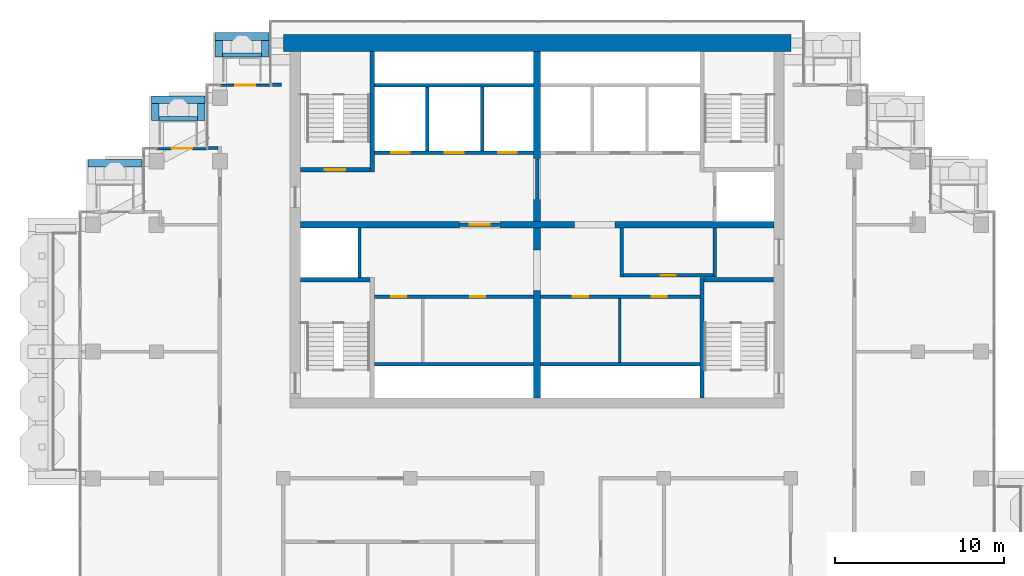
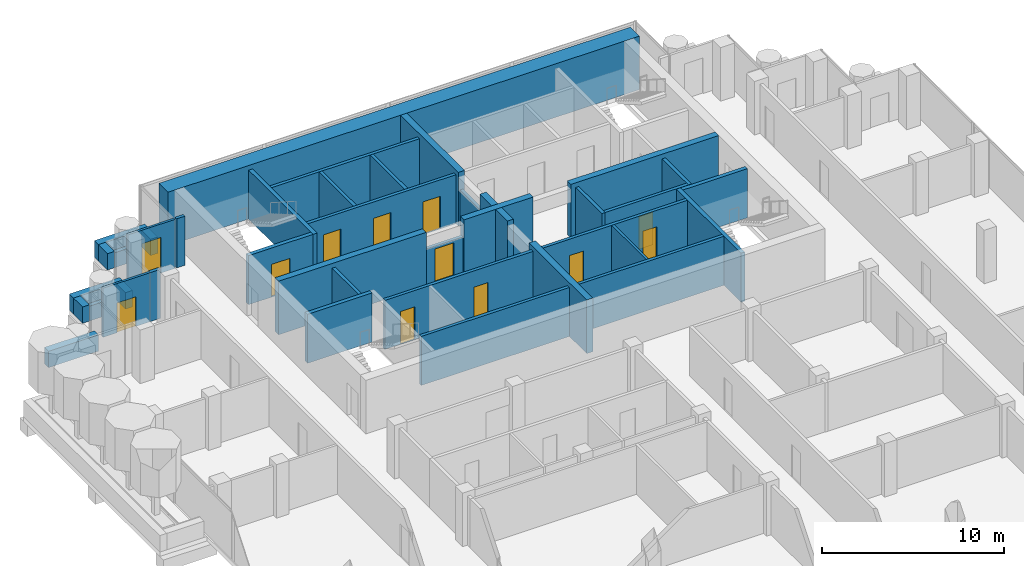
# One storey, part 13 of 18: 41 walls, 12 doors, 12 openings.
"""IFC4 building model written with IfcOpenShell, lengths in metres."""

from ifc_helpers import new_model, si_unit, direction, frame, frame_2d, origin, place, context, subcontext, project, spatial, rectangle, extrude, material, layer, layer_set, type_object, element, fill, save


model = new_model("IFC4")

# Units and contexts
model_context = context("Model", 3, precision=1e-05, world=origin(), true_north=direction((0.0, 1.0)))
body_context = subcontext(model_context, "Body", "Model", "MODEL_VIEW")
ifc_project = project(units=[si_unit("LENGTHUNIT", "METRE"), si_unit("AREAUNIT", "SQUARE_METRE"), si_unit("VOLUMEUNIT", "CUBIC_METRE"), si_unit("PLANEANGLEUNIT", "RADIAN"), si_unit("MASSUNIT", "GRAM", prefix="KILO")], contexts=[model_context])

# Site, building, storey
site_placement = place(None, origin())
site = spatial("IfcSite", under=ifc_project, at=site_placement, CompositionType="ELEMENT")
building_placement = place(site_placement, origin())
building = spatial("IfcBuilding", under=site, at=building_placement, Name="Pilkhan Gate Tower", CompositionType="ELEMENT")
storey_placement = place(building_placement, frame((0.0, 0.0, 235.5)))
storey = spatial("IfcBuildingStorey", under=building, at=storey_placement, Name="L61", CompositionType="ELEMENT", Elevation=235.5)

# Walls
ifc_material_1 = material(Name="Concrete C40/50", Category="concrete")
ifc_layer_1 = layer(ifc_material_1, 0.25)
ifc_layer_set_1 = layer_set([ifc_layer_1], Name="Balcony planter BP250")
wall_type_1 = type_object("IfcWallType", Name="Balcony planter BP250", PredefinedType="USERDEFINED", material=ifc_layer_set_1)
wall_1_placement = place(storey_placement, frame((56.39990234375, 92.52490234375, 0.0), z_axis=(0.0, 0.0, 1.0), x_axis=(1.0, 0.0, 0.0)))
element("IfcWall", 1, at=wall_1_placement, inside=storey, type_object=wall_type_1, Name="Balcony planter L61 N", ObjectType="BALCONY PLANTER", PredefinedType="USERDEFINED", context=body_context, shape_type="SweptSolid", body=[
    extrude(rectangle(XDim=2.300048828125, YDim=0.25, at=frame_2d((1.14990234375, 0.0))), origin(), (0.0, 0.0, 1.0), 1.0),
])
wall_2_placement = place(storey_placement, frame((52.64990234375, 88.77490234375, 0.0), z_axis=(0.0, 0.0, 1.0), x_axis=(1.0, 0.0, 0.0)))
element("IfcWall", 2, at=wall_2_placement, inside=storey, type_object=wall_type_1, Name="Balcony planter L61 N", ObjectType="BALCONY PLANTER", PredefinedType="USERDEFINED", context=body_context, shape_type="SweptSolid", body=[
    extrude(rectangle(XDim=2.280029296875, YDim=0.25, at=frame_2d((1.14013671875, 0.0))), origin(), (0.0, 0.0, 1.0), 1.0),
])
ifc_material_2 = material(Name="Board-marked Concrete C40/50", Category="concrete")
ifc_layer_2 = layer(ifc_material_2, 0.449951171875)
ifc_layer_set_2 = layer_set([ifc_layer_2], Name="Balcony planter lip BL450")
wall_type_2 = type_object("IfcWallType", Name="Balcony planter lip BL450", PredefinedType="USERDEFINED", material=ifc_layer_set_2)
wall_3_placement = place(storey_placement, frame((55.949951171875, 93.625, 0.0), z_axis=(0.0, 0.0, 1.0), x_axis=(1.0, 0.0, 0.0)))
element("IfcWall", 3, at=wall_3_placement, inside=storey, type_object=wall_type_2, Name="Balcony planter L61 N", ObjectType="BALCONY PLANTER", PredefinedType="USERDEFINED", context=body_context, shape_type="SweptSolid", body=[
    extrude(rectangle(XDim=3.199951171875, YDim=0.449951171875, at=frame_2d((1.60009765625, 0.0))), origin(), (0.0, 0.0, 1.0), 1.10009765625),
])
for number, where, z_axis, x_axis, name in (
    (4, (56.175048828125, 92.39990234375, 0.0), (0.0, 0.0, 1.0), (0.0, 1.0, 0.0), "Balcony planter L61 N"),
    (5, (58.925048828125, 92.39990234375, 0.0), (0.0, 0.0, 1.0), (0.0, 1.0, 0.0), "Balcony planter L61 N"),
):
    element("IfcWall", number, at=place(storey_placement, frame(where, z_axis=z_axis, x_axis=x_axis)), inside=storey, type_object=wall_type_2, Name=name, ObjectType="BALCONY PLANTER", PredefinedType="USERDEFINED", context=body_context, shape_type="SweptSolid", body=[
        extrude(rectangle(XDim=1.0, YDim=0.449951171875, at=frame_2d((0.5, 0.0))), origin(), (0.0, 0.0, 1.0), 1.10009765625),
    ])
wall_4_placement = place(storey_placement, frame((52.199951171875, 89.875, 0.0), z_axis=(0.0, 0.0, 1.0), x_axis=(1.0, 0.0, 0.0)))
element("IfcWall", 6, at=wall_4_placement, inside=storey, type_object=wall_type_2, Name="Balcony planter L61 N", ObjectType="BALCONY PLANTER", PredefinedType="USERDEFINED", context=body_context, shape_type="SweptSolid", body=[
    extrude(rectangle(XDim=3.179931640625, YDim=0.449951171875, at=frame_2d((1.58984375, 0.0))), origin(), (0.0, 0.0, 1.0), 1.10009765625),
])
for number, where, z_axis, x_axis, name in (
    (7, (52.425048828125, 88.64990234375, 0.0), (0.0, 0.0, 1.0), (0.0, 1.0, 0.0), "Balcony planter L61 N"),
    (8, (55.155029296875, 88.64990234375, 0.0), (0.0, 0.0, 1.0), (0.0, 1.0, 0.0), "Balcony planter L61 N"),
):
    element("IfcWall", number, at=place(storey_placement, frame(where, z_axis=z_axis, x_axis=x_axis)), inside=storey, type_object=wall_type_2, Name=name, ObjectType="BALCONY PLANTER", PredefinedType="USERDEFINED", context=body_context, shape_type="SweptSolid", body=[
        extrude(rectangle(XDim=1.0, YDim=0.449951171875, at=frame_2d((0.5, 0.0))), origin(), (0.0, 0.0, 1.0), 1.10009765625),
    ])
wall_5_placement = place(storey_placement, frame((48.449951171875, 86.125, 0.0), z_axis=(0.0, 0.0, 1.0), x_axis=(1.0, 0.0, 0.0)))
element("IfcWall", 9, at=wall_5_placement, inside=storey, type_object=wall_type_2, Name="Balcony planter L61 N", ObjectType="BALCONY PLANTER", PredefinedType="USERDEFINED", context=body_context, shape_type="SweptSolid", body=[
    extrude(rectangle(XDim=3.179931640625, YDim=0.449951171875, at=frame_2d((1.58984375, 0.0))), origin(), (0.0, 0.0, 1.0), 1.10009765625),
])
ifc_material_3 = material(Name="Concrete C50/60", Category="concrete")
ifc_layer_3 = layer(ifc_material_3, 1.0)
ifc_layer_set_3 = layer_set([ifc_layer_3], Name="Core wall CW1000 C50/60")
wall_type_3 = type_object("IfcWallType", Name="Core wall CW1000 C50/60", PredefinedType="SHEAR", material=ifc_layer_set_3)
wall_6_placement = place(storey_placement, frame((90.0, 93.25, 0.0), z_axis=(0.0, 0.0, 1.0), x_axis=(-1.0, 0.0, 0.0)))
element("IfcWall", 10, at=wall_6_placement, inside=storey, type_object=wall_type_3, Name="Core wall N L61", PredefinedType="SHEAR", context=body_context, shape_type="SweptSolid", body=[
    extrude(rectangle(XDim=30.0, YDim=1.0, at=frame_2d((15.0, 0.0))), origin(), (0.0, 0.0, 1.0), 3.60009765625),
])
ifc_material_4 = material(Name="Dense blockwork", Category="masonry")
ifc_layer_4 = layer(ifc_material_4, 0.199951171875)
ifc_layer_set_4 = layer_set([ifc_layer_4], Name="Corridor wall FW200")
wall_type_4 = type_object("IfcWallType", Name="Corridor wall FW200", PredefinedType="PARTITIONING", material=ifc_layer_set_4)
wall_7_placement = place(storey_placement, frame((55.510009765625, 87.030029296875, 0.0), z_axis=(0.0, 0.0, 1.0), x_axis=(1.0, 0.0, 0.0)))
element("IfcWall", 11, at=wall_7_placement, inside=storey, type_object=wall_type_4, Name="Partition L61", PredefinedType="PARTITIONING", context=body_context, shape_type="SweptSolid", body=[
    extrude(rectangle(XDim=0.639892578125, YDim=0.199951171875, at=frame_2d((0.31982421875, 0.0))), origin(), (0.0, 0.0, 1.0), 3.300048828125),
])
wall_8_placement = place(storey_placement, frame((59.35498046875, 90.764892578125, 0.0), z_axis=(0.0, 0.0, 1.0), x_axis=(1.0, 0.0, 0.0)))
element("IfcWall", 12, at=wall_8_placement, inside=storey, type_object=wall_type_4, Name="Partition L61", PredefinedType="PARTITIONING", context=body_context, shape_type="SweptSolid", body=[
    extrude(rectangle(XDim=0.52490234375, YDim=0.199951171875, at=frame_2d((0.262451171875, 0.0))), origin(), (0.0, 0.0, 1.0), 3.300048828125),
])

# Wall, opening, door
ifc_material_5 = material(Name="Pale anodised aluminium, clear laminated glazing", Category="aluminium")
ifc_layer_5 = layer(ifc_material_5, 0.14990234375)
ifc_layer_set_5 = layer_set([ifc_layer_5], Name="Facade infill wall IW150")
wall_type_5 = type_object("IfcWallType", Name="Facade infill wall IW150", PredefinedType="SOLIDWALL", material=ifc_layer_set_5)
wall_9_placement = place(storey_placement, frame((56.25, 90.75, 0.0), z_axis=(0.0, 0.0, 1.0), x_axis=(1.0, 0.0, 0.0)))
wall_9 = element("IfcWall", 13, at=wall_9_placement, inside=storey, type_object=wall_type_5, Name="Infill wall L61 N", PredefinedType="SOLIDWALL", context=body_context, shape_type="SweptSolid", body=[
    extrude(rectangle(XDim=3.0, YDim=0.14990234375, at=frame_2d((1.5, 0.0))), origin(), (0.0, 0.0, 1.0), 3.300048828125),
])
opening_1_placement = place(wall_9_placement, frame((0.89990234375, 0.0, 0.0)))
opening_1 = element("IfcOpeningElement", 14, at=opening_1_placement, cuts=wall_9, Name="Opening D1", PredefinedType="OPENING", context=body_context, shape_type="SweptSolid", body=[
    extrude(rectangle(XDim=1.199951171875, YDim=2.39990234375, at=frame_2d((0.60009765625, 1.199951171875))), frame((0.0, 0.0849609375, 0.0), z_axis=(0.0, -1.0, 0.0), x_axis=(1.0, 0.0, 0.0)), (0.0, 0.0, 1.0), 0.169921875),
])
ifc_material_6 = material(Name="Pale anodised aluminium, clear glazing", Category="aluminium")
door_type_1 = type_object("IfcDoorType", Name="Balcony door D1 1200x2400", OperationType="SINGLE_SWING_LEFT", PredefinedType="DOOR", material=ifc_material_6)
door_1_placement = place(opening_1_placement, origin())
door_1 = element("IfcDoor", 15, at=door_1_placement, inside=storey, type_object=door_type_1, Name="Balcony door L61", OperationType="SINGLE_SWING_LEFT", OverallHeight=2.39990234375, OverallWidth=1.199951171875, PredefinedType="DOOR", context=body_context, shape_type="SweptSolid", body=[
    extrude(rectangle(XDim=1.199951171875, YDim=2.39990234375, at=frame_2d((0.60009765625, 1.199951171875))), frame((0.0, 0.02490234375, 0.0), z_axis=(0.0, -1.0, 0.0), x_axis=(1.0, 0.0, 0.0)), (0.0, 0.0, 1.0), 0.050048828125),
])
fill(opening_1, door_1)

wall_10_placement = place(storey_placement, frame((52.5, 87.0, 0.0), z_axis=(0.0, 0.0, 1.0), x_axis=(1.0, 0.0, 0.0)))
wall_10 = element("IfcWall", 16, at=wall_10_placement, inside=storey, type_object=wall_type_5, Name="Infill wall L61 N", PredefinedType="SOLIDWALL", context=body_context, shape_type="SweptSolid", body=[
    extrude(rectangle(XDim=3.0, YDim=0.14990234375, at=frame_2d((1.5, 0.0))), origin(), (0.0, 0.0, 1.0), 3.300048828125),
])
opening_2_placement = place(wall_10_placement, frame((0.89990234375, 0.0, 0.0)))
opening_2 = element("IfcOpeningElement", 17, at=opening_2_placement, cuts=wall_10, Name="Opening D1L", PredefinedType="OPENING", context=body_context, shape_type="SweptSolid", body=[
    extrude(rectangle(XDim=1.199951171875, YDim=2.0, at=frame_2d((0.60009765625, 1.0))), frame((0.0, 0.0849609375, 0.0), z_axis=(0.0, -1.0, 0.0), x_axis=(1.0, 0.0, 0.0)), (0.0, 0.0, 1.0), 0.169921875),
])
door_type_2 = type_object("IfcDoorType", Name="Balcony door D1L 1200x2000", OperationType="SINGLE_SWING_LEFT", PredefinedType="DOOR", material=ifc_material_6)
door_2_placement = place(opening_2_placement, origin())
door_2 = element("IfcDoor", 18, at=door_2_placement, inside=storey, type_object=door_type_2, Name="Balcony door L61", OperationType="SINGLE_SWING_LEFT", OverallHeight=2.0, OverallWidth=1.199951171875, PredefinedType="DOOR", context=body_context, shape_type="SweptSolid", body=[
    extrude(rectangle(XDim=1.199951171875, YDim=2.0, at=frame_2d((0.60009765625, 1.0))), frame((0.0, 0.02490234375, 0.0), z_axis=(0.0, -1.0, 0.0), x_axis=(1.0, 0.0, 0.0)), (0.0, 0.0, 1.0), 0.050048828125),
])
fill(opening_2, door_2)

# Walls
ifc_layer_6 = layer(ifc_material_4, 0.199951171875)
ifc_layer_set_6 = layer_set([ifc_layer_6], Name="Lobby wall LW200")
wall_type_6 = type_object("IfcWallType", Name="Lobby wall LW200", PredefinedType="PARTITIONING", material=ifc_layer_set_6)
for number, where, z_axis, x_axis, name in (
    (19, (65.375, 74.25, 0.0), (0.0, 0.0, 1.0), (1.0, 0.0, 0.0), "Partition L61"),
    (20, (75.2099609375, 74.25, 0.0), (0.0, 0.0, 1.0), (1.0, 0.0, 0.0), "Partition L61"),
):
    element("IfcWall", number, at=place(storey_placement, frame(where, z_axis=z_axis, x_axis=x_axis)), inside=storey, type_object=wall_type_6, Name=name, PredefinedType="PARTITIONING", context=body_context, shape_type="SweptSolid", body=[
        extrude(rectangle(XDim=9.4150390625, YDim=0.199951171875, at=frame_2d((4.70751953125, 0.0))), origin(), (0.0, 0.0, 1.0), 3.300048828125),
    ])

# Wall, openings, doors
wall_11_placement = place(storey_placement, frame((65.375, 78.25, 0.0), z_axis=(0.0, 0.0, 1.0), x_axis=(1.0, 0.0, 0.0)))
wall_11 = element("IfcWall", 21, at=wall_11_placement, inside=storey, type_object=wall_type_6, Name="Partition L61", PredefinedType="PARTITIONING", context=body_context, shape_type="SweptSolid", body=[
    extrude(rectangle(XDim=9.4150390625, YDim=0.199951171875, at=frame_2d((4.70751953125, 0.0))), origin(), (0.0, 0.0, 1.0), 3.300048828125),
])
opening_3_placement = place(wall_11_placement, frame((1.0, 0.0, 0.0)))
opening_3 = element("IfcOpeningElement", 22, at=opening_3_placement, cuts=wall_11, Name="Opening L61-09", PredefinedType="OPENING", context=body_context, shape_type="SweptSolid", body=[
    extrude(rectangle(XDim=0.89990234375, YDim=2.199951171875, at=frame_2d((0.449951171875, 1.10009765625))), frame((0.0, 0.10986328125, 0.0), z_axis=(0.0, -1.0, 0.0), x_axis=(1.0, 0.0, 0.0)), (0.0, 0.0, 1.0), 0.219970703125),
])
opening_4_placement = place(wall_11_placement, frame((5.6650390625, 0.0, 0.0)))
opening_4 = element("IfcOpeningElement", 23, at=opening_4_placement, cuts=wall_11, Name="Opening L61-10", PredefinedType="OPENING", context=body_context, shape_type="SweptSolid", body=[
    extrude(rectangle(XDim=0.89990234375, YDim=2.199951171875, at=frame_2d((0.449951171875, 1.10009765625))), frame((0.0, 0.10986328125, 0.0), z_axis=(0.0, -1.0, 0.0), x_axis=(1.0, 0.0, 0.0)), (0.0, 0.0, 1.0), 0.219970703125),
])
ifc_material_7 = material(Name="Timber flush door, 60 minute fire resisting, self-closing", Category="wood")
door_type_3 = type_object("IfcDoorType", Name="Store door D05 900x2200", OperationType="SINGLE_SWING_LEFT", PredefinedType="DOOR", material=ifc_material_7)
door_3_placement = place(opening_3_placement, origin())
door_3 = element("IfcDoor", 24, at=door_3_placement, inside=storey, type_object=door_type_3, Name="Store door", OperationType="SINGLE_SWING_LEFT", OverallHeight=2.199951171875, OverallWidth=0.89990234375, PredefinedType="DOOR", context=body_context, shape_type="SweptSolid", body=[
    extrude(rectangle(XDim=0.89990234375, YDim=2.199951171875, at=frame_2d((0.449951171875, 1.10009765625))), frame((0.0, 0.02490234375, 0.0), z_axis=(0.0, -1.0, 0.0), x_axis=(1.0, 0.0, 0.0)), (0.0, 0.0, 1.0), 0.050048828125),
])
fill(opening_3, door_3)
door_4_placement = place(opening_4_placement, origin())
door_4 = element("IfcDoor", 25, at=door_4_placement, inside=storey, type_object=door_type_3, Name="Store door", OperationType="SINGLE_SWING_LEFT", OverallHeight=2.199951171875, OverallWidth=0.89990234375, PredefinedType="DOOR", context=body_context, shape_type="SweptSolid", body=[
    extrude(rectangle(XDim=0.89990234375, YDim=2.199951171875, at=frame_2d((0.449951171875, 1.10009765625))), frame((0.0, 0.02490234375, 0.0), z_axis=(0.0, -1.0, 0.0), x_axis=(1.0, 0.0, 0.0)), (0.0, 0.0, 1.0), 0.050048828125),
])
fill(opening_4, door_4)

wall_12_placement = place(storey_placement, frame((75.2099609375, 78.25, 0.0), z_axis=(0.0, 0.0, 1.0), x_axis=(1.0, 0.0, 0.0)))
wall_12 = element("IfcWall", 26, at=wall_12_placement, inside=storey, type_object=wall_type_6, Name="Partition L61", PredefinedType="PARTITIONING", context=body_context, shape_type="SweptSolid", body=[
    extrude(rectangle(XDim=9.4150390625, YDim=0.199951171875, at=frame_2d((4.70751953125, 0.0))), origin(), (0.0, 0.0, 1.0), 3.300048828125),
])
opening_5_placement = place(wall_12_placement, frame((1.89990234375, 0.0, 0.0)))
opening_5 = element("IfcOpeningElement", 27, at=opening_5_placement, cuts=wall_12, Name="Opening L61-11", PredefinedType="OPENING", context=body_context, shape_type="SweptSolid", body=[
    extrude(rectangle(XDim=0.89990234375, YDim=2.199951171875, at=frame_2d((0.449951171875, 1.10009765625))), frame((0.0, 0.10986328125, 0.0), z_axis=(0.0, -1.0, 0.0), x_axis=(1.0, 0.0, 0.0)), (0.0, 0.0, 1.0), 0.219970703125),
])
opening_6_placement = place(wall_12_placement, frame((6.56494140625, 0.0, 0.0)))
opening_6 = element("IfcOpeningElement", 28, at=opening_6_placement, cuts=wall_12, Name="Opening L61-12", PredefinedType="OPENING", context=body_context, shape_type="SweptSolid", body=[
    extrude(rectangle(XDim=0.89990234375, YDim=2.199951171875, at=frame_2d((0.449951171875, 1.10009765625))), frame((0.0, 0.10986328125, 0.0), z_axis=(0.0, -1.0, 0.0), x_axis=(1.0, 0.0, 0.0)), (0.0, 0.0, 1.0), 0.219970703125),
])
door_5_placement = place(opening_5_placement, origin())
door_5 = element("IfcDoor", 29, at=door_5_placement, inside=storey, type_object=door_type_3, Name="Store door", OperationType="SINGLE_SWING_RIGHT", OverallHeight=2.199951171875, OverallWidth=0.89990234375, PredefinedType="DOOR", context=body_context, shape_type="SweptSolid", body=[
    extrude(rectangle(XDim=0.89990234375, YDim=2.199951171875, at=frame_2d((0.449951171875, 1.10009765625))), frame((0.0, 0.02490234375, 0.0), z_axis=(0.0, -1.0, 0.0), x_axis=(1.0, 0.0, 0.0)), (0.0, 0.0, 1.0), 0.050048828125),
])
fill(opening_5, door_5)
door_6_placement = place(opening_6_placement, origin())
door_6 = element("IfcDoor", 30, at=door_6_placement, inside=storey, type_object=door_type_3, Name="Store door", OperationType="SINGLE_SWING_LEFT", OverallHeight=2.199951171875, OverallWidth=0.89990234375, PredefinedType="DOOR", context=body_context, shape_type="SweptSolid", body=[
    extrude(rectangle(XDim=0.89990234375, YDim=2.199951171875, at=frame_2d((0.449951171875, 1.10009765625))), frame((0.0, 0.02490234375, 0.0), z_axis=(0.0, -1.0, 0.0), x_axis=(1.0, 0.0, 0.0)), (0.0, 0.0, 1.0), 0.050048828125),
])
fill(opening_6, door_6)

# Wall, opening, door
wall_13_placement = place(storey_placement, frame((80.10009765625, 79.5, 0.0), z_axis=(0.0, 0.0, 1.0), x_axis=(1.0, 0.0, 0.0)))
wall_13 = element("IfcWall", 31, at=wall_13_placement, inside=storey, type_object=wall_type_6, Name="Partition L61", PredefinedType="PARTITIONING", context=body_context, shape_type="SweptSolid", body=[
    extrude(rectangle(XDim=5.2998046875, YDim=0.199951171875, at=frame_2d((2.64990234375, 0.0))), origin(), (0.0, 0.0, 1.0), 3.300048828125),
])
opening_7_placement = place(wall_13_placement, frame((2.199951171875, 0.0, 0.0)))
opening_7 = element("IfcOpeningElement", 32, at=opening_7_placement, cuts=wall_13, Name="Opening L61-07", PredefinedType="OPENING", context=body_context, shape_type="SweptSolid", body=[
    extrude(rectangle(XDim=0.89990234375, YDim=2.199951171875, at=frame_2d((0.449951171875, 1.10009765625))), frame((0.0, 0.10986328125, 0.0), z_axis=(0.0, -1.0, 0.0), x_axis=(1.0, 0.0, 0.0)), (0.0, 0.0, 1.0), 0.219970703125),
])
door_7_placement = place(opening_7_placement, origin())
door_7 = element("IfcDoor", 33, at=door_7_placement, inside=storey, type_object=door_type_3, Name="Store door", OperationType="SINGLE_SWING_LEFT", OverallHeight=2.199951171875, OverallWidth=0.89990234375, PredefinedType="DOOR", context=body_context, shape_type="SweptSolid", body=[
    extrude(rectangle(XDim=0.89990234375, YDim=2.199951171875, at=frame_2d((0.449951171875, 1.10009765625))), frame((0.0, 0.02490234375, 0.0), z_axis=(0.0, -1.0, 0.0), x_axis=(1.0, 0.0, 0.0)), (0.0, 0.0, 1.0), 0.050048828125),
])
fill(opening_7, door_7)

wall_14_placement = place(storey_placement, frame((70.409912109375, 82.5, 0.0), z_axis=(0.0, 0.0, 1.0), x_axis=(1.0, 0.0, 0.0)))
wall_14 = element("IfcWall", 34, at=wall_14_placement, inside=storey, type_object=wall_type_6, Name="Partition L61", PredefinedType="PARTITIONING", context=body_context, shape_type="SweptSolid", body=[
    extrude(rectangle(XDim=2.380126953125, YDim=0.199951171875, at=frame_2d((1.18994140625, 0.0))), origin(), (0.0, 0.0, 1.0), 2.39990234375),
])
opening_8_placement = place(wall_14_placement, frame((0.60009765625, 0.0, 0.0)))
opening_8 = element("IfcOpeningElement", 35, at=opening_8_placement, cuts=wall_14, Name="Opening L61-01", PredefinedType="OPENING", context=body_context, shape_type="SweptSolid", body=[
    extrude(rectangle(XDim=1.199951171875, YDim=2.199951171875, at=frame_2d((0.60009765625, 1.10009765625))), frame((0.0, 0.10986328125, 0.0), z_axis=(0.0, -1.0, 0.0), x_axis=(1.0, 0.0, 0.0)), (0.0, 0.0, 1.0), 0.219970703125),
])
ifc_material_8 = material(Name="Steel door, 120 minute fire resisting, self-closing", Category="steel")
door_type_4 = type_object("IfcDoorType", Name="Firefighting lobby door D10 1200x2200", OperationType="SINGLE_SWING_LEFT", PredefinedType="DOOR", material=ifc_material_8)
door_8_placement = place(opening_8_placement, origin())
door_8 = element("IfcDoor", 36, at=door_8_placement, inside=storey, type_object=door_type_4, Name="Firefighting lobby door", OperationType="SINGLE_SWING_RIGHT", OverallHeight=2.199951171875, OverallWidth=1.199951171875, PredefinedType="DOOR", context=body_context, shape_type="SweptSolid", body=[
    extrude(rectangle(XDim=1.199951171875, YDim=2.199951171875, at=frame_2d((0.60009765625, 1.10009765625))), frame((0.0, 0.02490234375, 0.0), z_axis=(0.0, -1.0, 0.0), x_axis=(1.0, 0.0, 0.0)), (0.0, 0.0, 1.0), 0.050048828125),
])
fill(opening_8, door_8)

# Walls
wall_15_placement = place(storey_placement, frame((75.0, 84.010009765625, 0.0), z_axis=(0.0, 0.0, 1.0), x_axis=(0.0, 1.0, 0.0)))
element("IfcWall", 37, at=wall_15_placement, inside=storey, type_object=wall_type_6, Name="Partition L61", PredefinedType="PARTITIONING", context=body_context, shape_type="SweptSolid", body=[
    extrude(rectangle(XDim=2.3798828125, YDim=0.199951171875, at=frame_2d((1.18994140625, 0.0))), origin(), (0.0, 0.0, 1.0), 2.39990234375),
])
for number, where, z_axis, x_axis, name in (
    (38, (80.0, 79.39990234375, 0.0), (0.0, 0.0, 1.0), (0.0, 1.0, 0.0), "Partition L61"),
    (39, (85.5, 79.39990234375, 0.0), (0.0, 0.0, 1.0), (0.0, 1.0, 0.0), "Partition L61"),
):
    element("IfcWall", number, at=place(storey_placement, frame(where, z_axis=z_axis, x_axis=x_axis)), inside=storey, type_object=wall_type_6, Name=name, PredefinedType="PARTITIONING", context=body_context, shape_type="SweptSolid", body=[
        extrude(rectangle(XDim=2.89013671875, YDim=0.199951171875, at=frame_2d((1.445068359375, 0.0))), origin(), (0.0, 0.0, 1.0), 3.300048828125),
    ])
ifc_material_9 = material(Name="Blockwork partition, plastered both sides", Category="masonry")
ifc_layer_7 = layer(ifc_material_9, 0.14990234375)
ifc_layer_set_7 = layer_set([ifc_layer_7], Name="Partition PW150")
wall_type_7 = type_object("IfcWallType", Name="Partition PW150", PredefinedType="PARTITIONING", material=ifc_layer_set_7)
wall_16_placement = place(storey_placement, frame((79.875, 74.35009765625, 0.0), z_axis=(0.0, 0.0, 1.0), x_axis=(0.0, 1.0, 0.0)))
element("IfcWall", 40, at=wall_16_placement, inside=storey, type_object=wall_type_7, Name="Partition L61", PredefinedType="PARTITIONING", context=body_context, shape_type="SweptSolid", body=[
    extrude(rectangle(XDim=3.7998046875, YDim=0.14990234375, at=frame_2d((1.89990234375, 0.0))), origin(), (0.0, 0.0, 1.0), 3.300048828125),
])

# Wall, openings, doors
ifc_material_10 = material(Name="Reinforced blockwork shaft wall, 120 minute fire resisting", Category="masonry")
ifc_layer_8 = layer(ifc_material_10, 0.199951171875)
ifc_layer_set_8 = layer_set([ifc_layer_8], Name="Shaft wall SW200")
wall_type_8 = type_object("IfcWallType", Name="Shaft wall SW200", PredefinedType="PARTITIONING", material=ifc_layer_set_8)
wall_17_placement = place(storey_placement, frame((65.375, 86.75, 0.0), z_axis=(0.0, 0.0, 1.0), x_axis=(1.0, 0.0, 0.0)))
wall_17 = element("IfcWall", 41, at=wall_17_placement, inside=storey, type_object=wall_type_8, Name="Partition L61", PredefinedType="PARTITIONING", context=body_context, shape_type="SweptSolid", body=[
    extrude(rectangle(XDim=9.4150390625, YDim=0.199951171875, at=frame_2d((4.70751953125, 0.0))), origin(), (0.0, 0.0, 1.0), 3.300048828125),
])
opening_9_placement = place(wall_17_placement, frame((1.0, 0.0, 0.0)))
opening_9 = element("IfcOpeningElement", 42, at=opening_9_placement, cuts=wall_17, Name="Opening LD", PredefinedType="OPENING", context=body_context, shape_type="SweptSolid", body=[
    extrude(rectangle(XDim=1.10009765625, YDim=2.199951171875, at=frame_2d((0.550048828125, 1.10009765625))), frame((0.0, 0.10986328125, 0.0), z_axis=(0.0, -1.0, 0.0), x_axis=(1.0, 0.0, 0.0)), (0.0, 0.0, 1.0), 0.219970703125),
])
opening_10_placement = place(wall_17_placement, frame((4.175048828125, 0.0, 0.0)))
opening_10 = element("IfcOpeningElement", 43, at=opening_10_placement, cuts=wall_17, Name="Opening LD", PredefinedType="OPENING", context=body_context, shape_type="SweptSolid", body=[
    extrude(rectangle(XDim=1.10009765625, YDim=2.199951171875, at=frame_2d((0.550048828125, 1.10009765625))), frame((0.0, 0.10986328125, 0.0), z_axis=(0.0, -1.0, 0.0), x_axis=(1.0, 0.0, 0.0)), (0.0, 0.0, 1.0), 0.219970703125),
])
opening_11_placement = place(wall_17_placement, frame((7.324951171875, 0.0, 0.0)))
opening_11 = element("IfcOpeningElement", 44, at=opening_11_placement, cuts=wall_17, Name="Opening LD", PredefinedType="OPENING", context=body_context, shape_type="SweptSolid", body=[
    extrude(rectangle(XDim=1.10009765625, YDim=2.199951171875, at=frame_2d((0.550048828125, 1.10009765625))), frame((0.0, 0.10986328125, 0.0), z_axis=(0.0, -1.0, 0.0), x_axis=(1.0, 0.0, 0.0)), (0.0, 0.0, 1.0), 0.219970703125),
])
ifc_material_11 = material(Name="Stainless steel centre-opening landing door, 120 minute fire resisting", Category="steel")
door_type_5 = type_object("IfcDoorType", Name="Lift landing door LD 1100x2200", OperationType="DOUBLE_DOOR_SLIDING", PredefinedType="DOOR", material=ifc_material_11)
door_9_placement = place(opening_9_placement, origin())
door_9 = element("IfcDoor", 45, at=door_9_placement, inside=storey, type_object=door_type_5, Name="Landing door FF1", OperationType="DOUBLE_DOOR_SLIDING", OverallHeight=2.199951171875, OverallWidth=1.10009765625, PredefinedType="DOOR", context=body_context, shape_type="SweptSolid", body=[
    extrude(rectangle(XDim=1.10009765625, YDim=2.199951171875, at=frame_2d((0.550048828125, 1.10009765625))), frame((0.0, 0.02490234375, 0.0), z_axis=(0.0, -1.0, 0.0), x_axis=(1.0, 0.0, 0.0)), (0.0, 0.0, 1.0), 0.050048828125),
])
fill(opening_9, door_9)
door_10_placement = place(opening_10_placement, origin())
door_10 = element("IfcDoor", 46, at=door_10_placement, inside=storey, type_object=door_type_5, Name="Landing door FF2", OperationType="DOUBLE_DOOR_SLIDING", OverallHeight=2.199951171875, OverallWidth=1.10009765625, PredefinedType="DOOR", context=body_context, shape_type="SweptSolid", body=[
    extrude(rectangle(XDim=1.10009765625, YDim=2.199951171875, at=frame_2d((0.550048828125, 1.10009765625))), frame((0.0, 0.02490234375, 0.0), z_axis=(0.0, -1.0, 0.0), x_axis=(1.0, 0.0, 0.0)), (0.0, 0.0, 1.0), 0.050048828125),
])
fill(opening_10, door_10)
door_11_placement = place(opening_11_placement, origin())
door_11 = element("IfcDoor", 47, at=door_11_placement, inside=storey, type_object=door_type_5, Name="Landing door SV1", OperationType="DOUBLE_DOOR_SLIDING", OverallHeight=2.199951171875, OverallWidth=1.10009765625, PredefinedType="DOOR", context=body_context, shape_type="SweptSolid", body=[
    extrude(rectangle(XDim=1.10009765625, YDim=2.199951171875, at=frame_2d((0.550048828125, 1.10009765625))), frame((0.0, 0.02490234375, 0.0), z_axis=(0.0, -1.0, 0.0), x_axis=(1.0, 0.0, 0.0)), (0.0, 0.0, 1.0), 0.050048828125),
])
fill(opening_11, door_11)

# Walls
wall_18_placement = place(storey_placement, frame((65.375, 90.75, 0.0), z_axis=(0.0, 0.0, 1.0), x_axis=(1.0, 0.0, 0.0)))
element("IfcWall", 48, at=wall_18_placement, inside=storey, type_object=wall_type_8, Name="Partition L61", PredefinedType="PARTITIONING", context=body_context, shape_type="SweptSolid", body=[
    extrude(rectangle(XDim=9.4150390625, YDim=0.199951171875, at=frame_2d((4.70751953125, 0.0))), origin(), (0.0, 0.0, 1.0), 3.300048828125),
])
wall_19_placement = place(storey_placement, frame((64.5, 79.375, 0.0), z_axis=(0.0, 0.0, 1.0), x_axis=(0.0, 1.0, 0.0)))
element("IfcWall", 49, at=wall_19_placement, inside=storey, type_object=wall_type_8, Name="Partition L61", PredefinedType="PARTITIONING", context=body_context, shape_type="SweptSolid", body=[
    extrude(rectangle(XDim=2.9150390625, YDim=0.199951171875, at=frame_2d((1.45751953125, 0.0))), origin(), (0.0, 0.0, 1.0), 3.300048828125),
])
for number, where, z_axis, x_axis, name in (
    (50, (68.5, 86.85009765625, 0.0), (0.0, 0.0, 1.0), (0.0, 1.0, 0.0), "Partition L61"),
    (51, (71.75, 86.85009765625, 0.0), (0.0, 0.0, 1.0), (0.0, 1.0, 0.0), "Partition L61"),
):
    element("IfcWall", number, at=place(storey_placement, frame(where, z_axis=z_axis, x_axis=x_axis)), inside=storey, type_object=wall_type_8, Name=name, PredefinedType="PARTITIONING", context=body_context, shape_type="SweptSolid", body=[
        extrude(rectangle(XDim=3.7998046875, YDim=0.199951171875, at=frame_2d((1.89990234375, 0.0))), origin(), (0.0, 0.0, 1.0), 3.300048828125),
    ])
ifc_layer_9 = layer(ifc_material_3, 0.39990234375)
ifc_layer_set_9 = layer_set([ifc_layer_9], Name="Spine wall SW400 C50/60")
wall_type_9 = type_object("IfcWallType", Name="Spine wall SW400 C50/60", PredefinedType="SHEAR", material=ifc_layer_set_9)
wall_20_placement = place(storey_placement, frame((61.0, 82.5, 0.0), z_axis=(0.0, 0.0, 1.0), x_axis=(1.0, 0.0, 0.0)))
element("IfcWall", 52, at=wall_20_placement, inside=storey, type_object=wall_type_9, Name="Spine wall SP-EW1 L61", PredefinedType="SHEAR", context=body_context, shape_type="SweptSolid", body=[
    extrude(rectangle(XDim=9.39990234375, YDim=0.39990234375, at=frame_2d((4.699951171875, 0.0))), origin(), (0.0, 0.0, 1.0), 3.60009765625),
])
wall_21_placement = place(storey_placement, frame((72.800048828125, 82.5, 0.0), z_axis=(0.0, 0.0, 1.0), x_axis=(1.0, 0.0, 0.0)))
element("IfcWall", 53, at=wall_21_placement, inside=storey, type_object=wall_type_9, Name="Spine wall SP-EW2 L61", PredefinedType="SHEAR", context=body_context, shape_type="SweptSolid", body=[
    extrude(rectangle(XDim=4.39990234375, YDim=0.39990234375, at=frame_2d((2.199951171875, 0.0))), origin(), (0.0, 0.0, 1.0), 3.60009765625),
])
wall_22_placement = place(storey_placement, frame((79.60009765625, 82.5, 0.0), z_axis=(0.0, 0.0, 1.0), x_axis=(1.0, 0.0, 0.0)))
element("IfcWall", 54, at=wall_22_placement, inside=storey, type_object=wall_type_9, Name="Spine wall SP-EW3 L61", PredefinedType="SHEAR", context=body_context, shape_type="SweptSolid", body=[
    extrude(rectangle(XDim=9.39990234375, YDim=0.39990234375, at=frame_2d((4.699951171875, 0.0))), origin(), (0.0, 0.0, 1.0), 3.60009765625),
])
wall_23_placement = place(storey_placement, frame((75.0, 72.25, 0.0), z_axis=(0.0, 0.0, 1.0), x_axis=(0.0, 1.0, 0.0)))
element("IfcWall", 55, at=wall_23_placement, inside=storey, type_object=wall_type_9, Name="Spine wall SP-NS-S1 L61", PredefinedType="SHEAR", context=body_context, shape_type="SweptSolid", body=[
    extrude(rectangle(XDim=6.35009765625, YDim=0.39990234375, at=frame_2d((3.175048828125, 0.0))), origin(), (0.0, 0.0, 1.0), 3.60009765625),
])
for number, where, z_axis, x_axis, name in (
    (56, (75.0, 81.0, 0.0), (0.0, 0.0, 1.0), (0.0, 1.0, 0.0), "Spine wall SP-NS-S2 L61"),
    (57, (75.0, 82.699951171875, 0.0), (0.0, 0.0, 1.0), (0.0, 1.0, 0.0), "Spine wall SP-NS-N1 L61"),
):
    element("IfcWall", number, at=place(storey_placement, frame(where, z_axis=z_axis, x_axis=x_axis)), inside=storey, type_object=wall_type_9, Name=name, PredefinedType="SHEAR", context=body_context, shape_type="SweptSolid", body=[
        extrude(rectangle(XDim=1.300048828125, YDim=0.39990234375, at=frame_2d((0.64990234375, 0.0))), origin(), (0.0, 0.0, 1.0), 3.60009765625),
    ])
wall_24_placement = place(storey_placement, frame((75.0, 86.39990234375, 0.0), z_axis=(0.0, 0.0, 1.0), x_axis=(0.0, 1.0, 0.0)))
element("IfcWall", 58, at=wall_24_placement, inside=storey, type_object=wall_type_9, Name="Spine wall SP-NS-N2 L61", PredefinedType="SHEAR", context=body_context, shape_type="SweptSolid", body=[
    extrude(rectangle(XDim=6.35009765625, YDim=0.39990234375, at=frame_2d((3.175048828125, 0.0))), origin(), (0.0, 0.0, 1.0), 3.60009765625),
])
ifc_material_12 = material(Name="Reinforced blockwork, 120 minute fire resisting", Category="masonry")
ifc_layer_10 = layer(ifc_material_12, 0.25)
ifc_layer_set_10 = layer_set([ifc_layer_10], Name="Stair enclosure wall SE250")
wall_type_10 = type_object("IfcWallType", Name="Stair enclosure wall SE250", PredefinedType="PARTITIONING", material=ifc_layer_set_10)
for number, where, z_axis, x_axis, name in (
    (59, (61.010009765625, 79.25, 0.0), (0.0, 0.0, 1.0), (1.0, 0.0, 0.0), "Partition L61"),
    (60, (84.875, 79.25, 0.0), (0.0, 0.0, 1.0), (1.0, 0.0, 0.0), "Partition L61"),
):
    element("IfcWall", number, at=place(storey_placement, frame(where, z_axis=z_axis, x_axis=x_axis)), inside=storey, type_object=wall_type_10, Name=name, PredefinedType="PARTITIONING", context=body_context, shape_type="SweptSolid", body=[
        extrude(rectangle(XDim=4.114990234375, YDim=0.25, at=frame_2d((2.0576171875, 0.0))), origin(), (0.0, 0.0, 1.0), 3.300048828125),
    ])

# Wall, opening, door
wall_25_placement = place(storey_placement, frame((61.010009765625, 85.75, 0.0), z_axis=(0.0, 0.0, 1.0), x_axis=(1.0, 0.0, 0.0)))
wall_25 = element("IfcWall", 61, at=wall_25_placement, inside=storey, type_object=wall_type_10, Name="Partition L61", PredefinedType="PARTITIONING", context=body_context, shape_type="SweptSolid", body=[
    extrude(rectangle(XDim=4.114990234375, YDim=0.25, at=frame_2d((2.0576171875, 0.0))), origin(), (0.0, 0.0, 1.0), 3.300048828125),
])
opening_12_placement = place(wall_25_placement, frame((1.449951171875, 0.0, 0.0)))
opening_12 = element("IfcOpeningElement", 62, at=opening_12_placement, cuts=wall_25, Name="Opening L61-02", PredefinedType="OPENING", context=body_context, shape_type="SweptSolid", body=[
    extrude(rectangle(XDim=1.199951171875, YDim=2.199951171875, at=frame_2d((0.60009765625, 1.10009765625))), frame((0.0, 0.135009765625, 0.0), z_axis=(0.0, -1.0, 0.0), x_axis=(1.0, 0.0, 0.0)), (0.0, 0.0, 1.0), 0.27001953125),
])
ifc_material_13 = material(Name="Steel door, 120 minute fire resisting, panic bar", Category="steel")
door_type_6 = type_object("IfcDoorType", Name="Stair door D11 1200x2200", OperationType="SINGLE_SWING_LEFT", PredefinedType="DOOR", material=ifc_material_13)
door_12_placement = place(opening_12_placement, origin())
door_12 = element("IfcDoor", 63, at=door_12_placement, inside=storey, type_object=door_type_6, Name="Stair ST3 lobby door", OperationType="SINGLE_SWING_LEFT", OverallHeight=2.199951171875, OverallWidth=1.199951171875, PredefinedType="DOOR", context=body_context, shape_type="SweptSolid", body=[
    extrude(rectangle(XDim=1.199951171875, YDim=2.199951171875, at=frame_2d((0.60009765625, 1.10009765625))), frame((0.0, 0.02490234375, 0.0), z_axis=(0.0, -1.0, 0.0), x_axis=(1.0, 0.0, 0.0)), (0.0, 0.0, 1.0), 0.050048828125),
])
fill(opening_12, door_12)

# Walls
for number, where, z_axis, x_axis, name in (
    (64, (65.25, 85.625, 0.0), (0.0, 0.0, 1.0), (0.0, 1.0, 0.0), "Partition L61"),
    (65, (84.75, 72.260009765625, 0.0), (0.0, 0.0, 1.0), (0.0, 1.0, 0.0), "Partition L61"),
):
    element("IfcWall", number, at=place(storey_placement, frame(where, z_axis=z_axis, x_axis=x_axis)), inside=storey, type_object=wall_type_10, Name=name, PredefinedType="PARTITIONING", context=body_context, shape_type="SweptSolid", body=[
        extrude(rectangle(XDim=7.114990234375, YDim=0.25, at=frame_2d((3.5576171875, 0.0))), origin(), (0.0, 0.0, 1.0), 3.300048828125),
    ])

save(model, "model.ifc")
